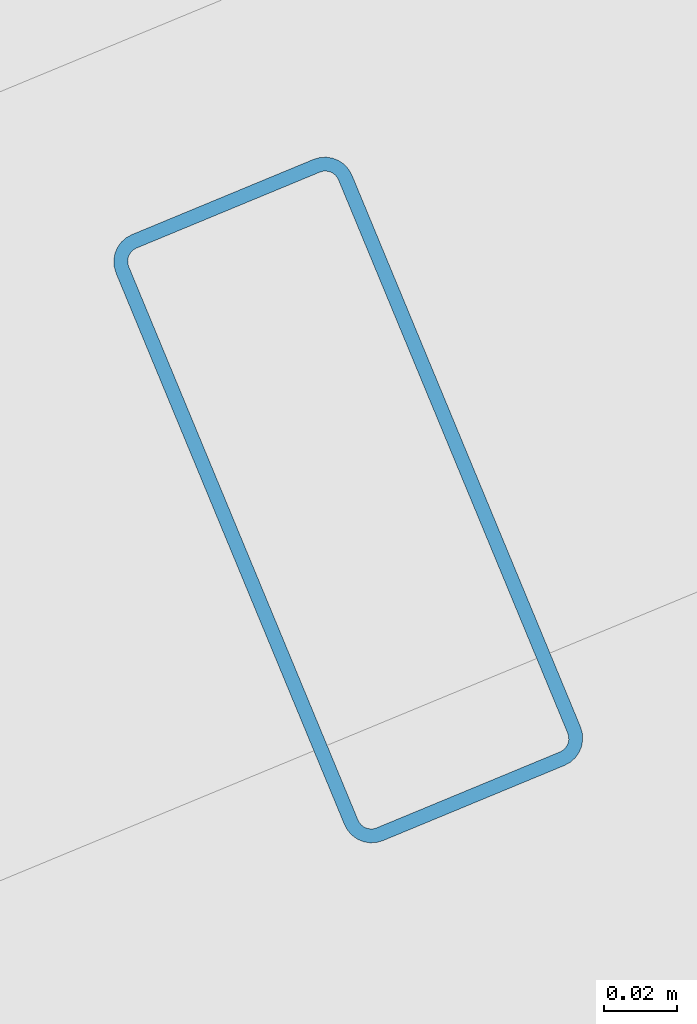
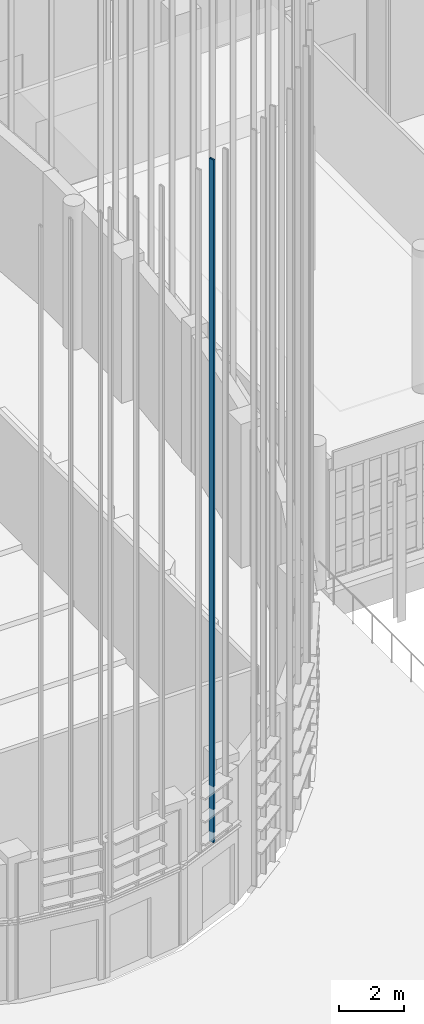
# One storey, part 43 of 372: 1 member.
"""IFC4 building model written with IfcOpenShell, lengths in metres."""

from ifc_helpers import new_model, si_unit, direction, frame, origin, origin_2d, place, context, subcontext, project, spatial, hollow_rectangle, extrude, material, material_profile, profile_set, type_object, element, save


model = new_model("IFC4")

# Units and contexts
model_context = context("Model", 3, precision=1e-05, world=origin(), true_north=direction((0.0, 1.0)))
body_context = subcontext(model_context, "Body", "Model", "MODEL_VIEW")
ifc_project = project(units=[si_unit("LENGTHUNIT", "METRE"), si_unit("AREAUNIT", "SQUARE_METRE"), si_unit("VOLUMEUNIT", "CUBIC_METRE"), si_unit("PLANEANGLEUNIT", "RADIAN"), si_unit("MASSUNIT", "GRAM", prefix="KILO")], contexts=[model_context])

# Site, building, storey
site_placement = place(None, origin())
site = spatial("IfcSite", under=ifc_project, at=site_placement, CompositionType="ELEMENT")
building_placement = place(site_placement, origin())
building = spatial("IfcBuilding", under=site, at=building_placement, Name="Kaelora Sail Theatre", CompositionType="ELEMENT")
storey_placement = place(building_placement, origin())
storey = spatial("IfcBuildingStorey", under=building, at=storey_placement, Name="L00", CompositionType="ELEMENT", Elevation=0.0)

# Member
ifc_material = material(Name="Anodised aluminium 6063-T6", Category="aluminium")
ifc_material_profile = material_profile(ifc_material, hollow_rectangle(XDim=0.070068359375, YDim=0.179931640625, WallThickness=0.00390625, InnerFilletRadius=0.00390625, OuterFilletRadius=0.008056640625, at=origin_2d()), Name="ALU-MULL 70x180x4")
ifc_profile_set = profile_set([ifc_material_profile], Name="Anodised aluminium 6063-T6")
member_type = type_object("IfcMemberType", Name="ARC-MEM-PST-160", PredefinedType="POST", material=ifc_profile_set)
member_placement = place(storey_placement, frame((46.33642578125, 24.526611328125, 3.10009765625), z_axis=(0.0, 0.0, 1.0), x_axis=(-0.923879532511, -0.382683432365, 0.0)))
element("IfcMember", 1, at=member_placement, inside=storey, type_object=member_type, Name="Main Theatre Sail Drum solar louvre vertical support post C10-2", PredefinedType="POST", context=body_context, shape_type="SweptSolid", body=[
    extrude(hollow_rectangle(XDim=0.070068359375, YDim=0.179931640625, WallThickness=0.00390625, InnerFilletRadius=0.00390625, OuterFilletRadius=0.008056640625, at=origin_2d()), origin(), (0.0, 0.0, 1.0), 25.63330078125),
])

save(model, "model.ifc")
